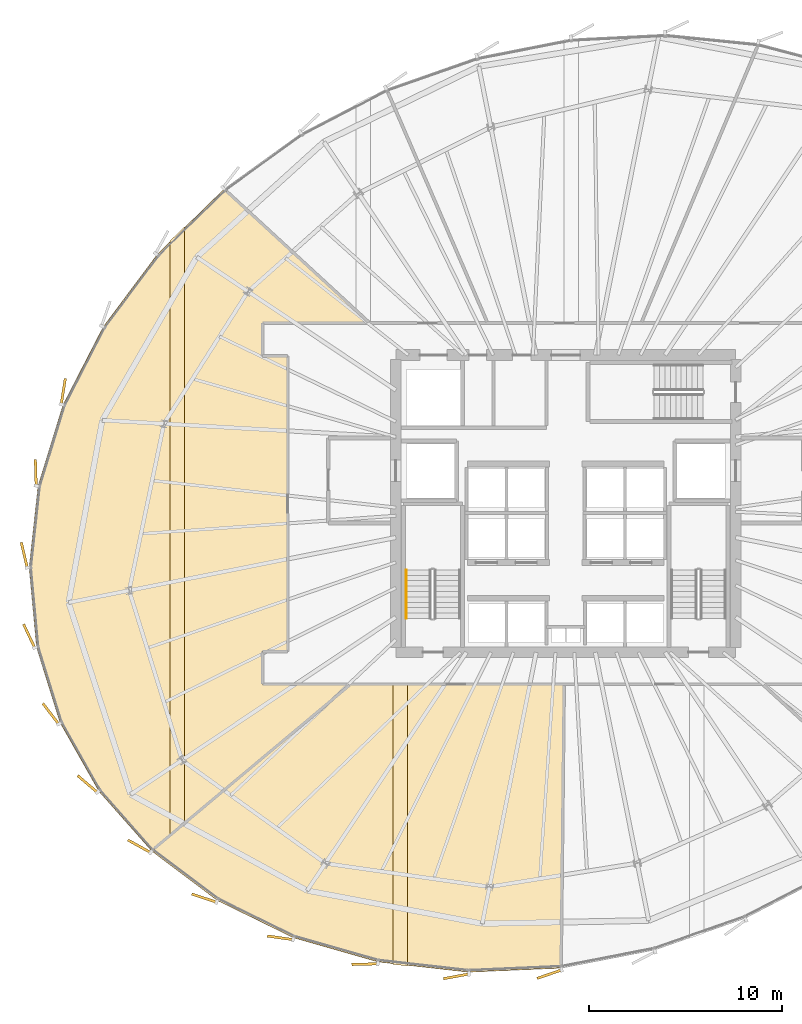
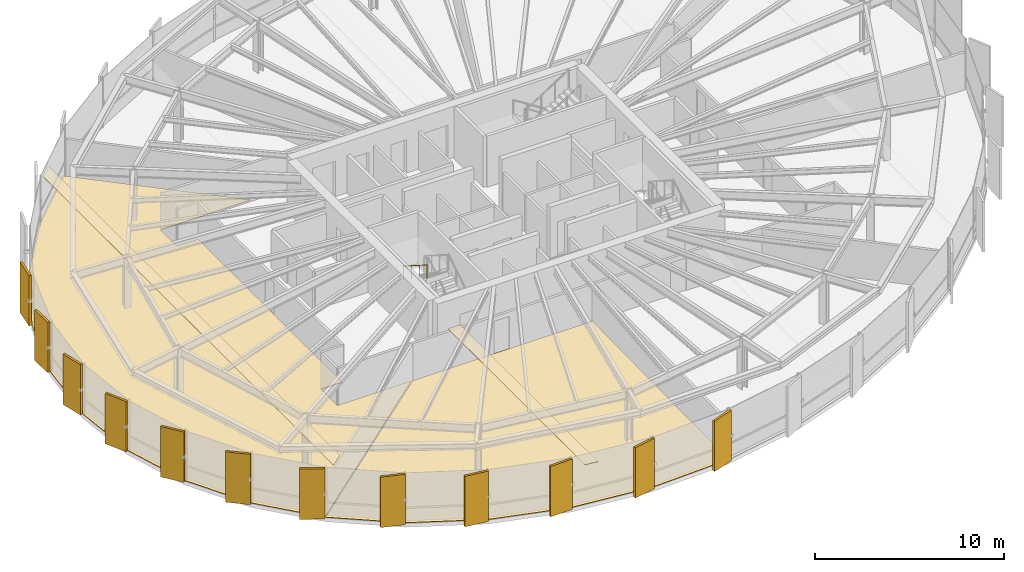
# One storey, part 31 of 34: 16 coverings, 1 railing.
"""IFC4 building model written with IfcOpenShell, lengths in metres."""

from ifc_helpers import new_model, si_unit, direction, frame, origin, origin_2d, place, context, subcontext, project, spatial, polyline, rectangle, circle, outline, extrude, source, transform, mapped, material, layer, layer_set, type_object, element, save


model = new_model("IFC4")

# Units and contexts
model_context = context("Model", 3, precision=1e-05, world=origin(), true_north=direction((0.0, 1.0)))
body_context = subcontext(model_context, "Body", "Model", "MODEL_VIEW")
ifc_project = project(units=[si_unit("LENGTHUNIT", "METRE"), si_unit("AREAUNIT", "SQUARE_METRE"), si_unit("VOLUMEUNIT", "CUBIC_METRE"), si_unit("PLANEANGLEUNIT", "RADIAN"), si_unit("MASSUNIT", "GRAM", prefix="KILO"), si_unit("THERMODYNAMICTEMPERATUREUNIT", "KELVIN")], contexts=[model_context])

# Site, building, storey
site_placement = place(None, origin())
site = spatial("IfcSite", under=ifc_project, at=site_placement, CompositionType="ELEMENT")
building_placement = place(site_placement, origin())
building = spatial("IfcBuilding", under=site, at=building_placement, Name="Kethvar Cultural Tower", CompositionType="ELEMENT")
storey_placement = place(building_placement, frame((0.0, 0.0, 128.800048828125)))
storey = spatial("IfcBuildingStorey", under=building, at=storey_placement, Name="L32", CompositionType="ELEMENT", Elevation=128.800048828125)

# Coverings
ifc_material_1 = material(Name="Acoustic Mineral Fibre Ceiling")
ifc_layer_1 = layer(ifc_material_1, 0.0400390625, Name="Acoustic Mineral Fibre Ceiling")
ifc_layer_set_1 = layer_set([ifc_layer_1], Name="Acoustic Mineral Fibre Ceiling (40 mm)")
covering_type_1 = type_object("IfcCoveringType", Name="CV-ACOUSTIC-CEIL", PredefinedType="CEILING", material=ifc_layer_set_1)
covering_1_placement = place(storey_placement, frame((0.0, 0.0, 2.56005859375)))
element("IfcCovering", 1, at=covering_1_placement, inside=storey, type_object=covering_type_1, Name="L32 Room 01 Acoustic Ceiling Panel", PredefinedType="CEILING", context=body_context, shape_type="SweptSolid", body=[
    extrude(outline(polyline([(37.86376953125, 3.93798828125), (37.86376953125, 18.469970703125), (38.61376953125, 18.469970703125), (38.61376953125, 3.85302734375), (37.86376953125, 3.93798828125)])), origin(), (0.0, 0.0, 1.0), 0.039794921875),
])
covering_2_placement = place(storey_placement, frame((0.0, 0.0, 2.56005859375)))
element("IfcCovering", 2, at=covering_2_placement, inside=storey, type_object=covering_type_1, Name="L32 Room 08 Acoustic Ceiling Panel", PredefinedType="CEILING", context=body_context, shape_type="SweptSolid", body=[
    extrude(outline(polyline([(27.058837890625, 42.151123046875), (27.058837890625, 11.201171875), (26.308837890625, 10.571533203125), (26.308837890625, 41.418701171875), (27.058837890625, 42.151123046875)])), origin(), (0.0, 0.0, 1.0), 0.039794921875),
])
ifc_material_2 = material(Name="Honed Warm Limestone", Category="masonry")
ifc_layer_2 = layer(ifc_material_2, 0.030029296875, Name="Honed Warm Limestone", Category="masonry")
ifc_layer_set_2 = layer_set([ifc_layer_2], Name="Honed Warm Limestone (30 mm)")
covering_type_2 = type_object("IfcCoveringType", Name="CV-STONE-FLOOR", PredefinedType="FLOORING", material=ifc_layer_set_2)
covering_3_placement = place(storey_placement, origin())
element("IfcCovering", 3, at=covering_3_placement, inside=storey, type_object=covering_type_2, Name="L32 Room 01 Floor Finish", PredefinedType="FLOORING", context=body_context, shape_type="SweptSolid", body=[
    extrude(outline(polyline([(41.747314453125, 3.538818359375), (37.077880859375, 4.067138671875), (32.704345703125, 5.316650390625), (28.759033203125, 7.249267578125), (25.380615234375, 9.792236328125), (35.669921875, 18.429931640625), (46.691650390625, 18.429931640625), (46.552978515625, 3.746826171875), (41.747314453125, 3.538818359375)])), origin(), (0.0, 0.0, 1.0), 0.030029296875),
])
covering_4_placement = place(storey_placement, origin())
element("IfcCovering", 4, at=covering_4_placement, inside=storey, type_object=covering_type_2, Name="L32 Room 08 Floor Finish", PredefinedType="FLOORING", context=body_context, shape_type="SweptSolid", body=[
    extrude(outline(polyline([(22.61669921875, 12.9091796875), (20.605712890625, 16.464599609375), (19.390380859375, 20.364501953125), (19.0078125, 24.489990234375), (19.46923828125, 28.716552734375), (20.76123046875, 32.91552734375), (22.84423828125, 36.959228515625), (25.655517578125, 40.724853515625), (29.096923828125, 44.08544921875), (36.601806640625, 37.169921875), (31.080078125, 37.152099609375), (31.08447265625, 35.437255859375), (32.3798828125, 35.429931640625), (32.3798828125, 20.169921875), (31.08447265625, 20.16259765625), (31.080322265625, 18.446044921875), (35.607666015625, 18.429931640625), (25.3505859375, 9.819091796875), (22.61669921875, 12.9091796875)])), origin(), (0.0, 0.0, 1.0), 0.030029296875),
])

# Railing
ifc_material_3 = material(Name="Steel S355J2", Category="steel")
railing_type = type_object("IfcRailingType", Name="RL-STAIR-HANDRAIL", PredefinedType="HANDRAIL", material=ifc_material_3)
railing_placement = place(storey_placement, frame((38.5400390625, 24.3701171875, 1.952392578125)))
element("IfcRailing", 5, at=railing_placement, inside=storey, type_object=railing_type, Name="L32 ST-01 stair handrail 2", PredefinedType="HANDRAIL", context=body_context, shape_type="SweptSolid", body=[
    extrude(circle(Radius=0.02392578125, at=origin_2d()), frame((0.0, 0.0, 0.8759765625), z_axis=(0.0, -0.84456994832, 0.535445237532), x_axis=(1.0, 0.0, 0.0)), (0.0, 0.0, 1.0), 2.98388671875),
    extrude(circle(Radius=0.02099609375, at=origin_2d()), origin(), (0.0, 0.0, 1.0), 0.851806640625),
    extrude(circle(Radius=0.02099609375, at=origin_2d()), frame((0.0, -0.840087890625, 0.532470703125)), (0.0, 0.0, 1.0), 0.851806640625),
    extrude(circle(Radius=0.02099609375, at=origin_2d()), frame((0.0, -1.679931640625, 1.065185546875)), (0.0, 0.0, 1.0), 0.851806640625),
    extrude(circle(Radius=0.02099609375, at=origin_2d()), frame((0.0, -2.52001953125, 1.59765625)), (0.0, 0.0, 1.0), 0.851806640625),
])

# Coverings
ifc_material_4 = material(Name="Extruded Architectural Terracotta", Category="masonry")
ifc_layer_3 = layer(ifc_material_4, 0.135009765625, Name="Extruded Architectural Terracotta", Category="masonry")
ifc_layer_set_3 = layer_set([ifc_layer_3], Name="Extruded Architectural Terracotta (135 mm)")
covering_type_3 = type_object("IfcCoveringType", Name="Terracotta Facade Fin FIN-02", PredefinedType="CLADDING", material=ifc_layer_set_3)
shared_shape = source(origin(), body_context, "Body", "SweptSolid", [
    extrude(rectangle(XDim=1.35009765625, YDim=0.135009765625, at=origin_2d()), origin(), (0.0, 0.0, 1.0), 3.260009765625),
])
for number, where, z_axis, x_axis, name in (
    (6, (20.77294921875, 33.61328125, 0.02001953125), (0.0, 0.0, 1.0), (0.158158067254, 0.987413806751, 0.0), "L32 Vertical Terracotta Fin 3.3"),
    (7, (19.34912109375, 29.404052734375, 0.02001953125), (0.0, 0.0, 1.0), (-0.030887414385, 0.99952286999, 0.0), "L32 Vertical Terracotta Fin 3.4"),
    (8, (18.752685546875, 25.139892578125, 0.02001953125), (0.0, 0.0, 1.0), (-0.230049737188, 0.973178872777, 0.0), "L32 Vertical Terracotta Fin 3.5"),
    (9, (19.005615234375, 20.947021484375, 0.02001953125), (0.0, 0.0, 1.0), (-0.427515649049, 0.904007947873, 0.0), "L32 Vertical Terracotta Fin 3.6"),
    (10, (20.1259765625, 16.9189453125, 0.02001953125), (0.0, 0.0, 1.0), (-0.608622953458, 0.79345957712, 0.0), "L32 Vertical Terracotta Fin 4.1"),
    (11, (22.027099609375, 13.282958984375, 0.02001953125), (0.0, 0.0, 1.0), (-0.7604059656, 0.64944804833, 0.0), "L32 Vertical Terracotta Fin 4.2"),
    (12, (24.709716796875, 10.05419921875, 0.02001953125), (0.0, 0.0, 1.0), (-0.87487343296, 0.484351604003, 0.0), "L32 Vertical Terracotta Fin 4.3"),
    (13, (28.07177734375, 7.3701171875, 0.02001953125), (0.0, 0.0, 1.0), (-0.950515731628, 0.310676429631, 0.0), "L32 Vertical Terracotta Fin 4.4"),
    (14, (32.006591796875, 5.314208984375, 0.02001953125), (0.0, 0.0, 1.0), (-0.99041326747, 0.138136018543, 0.0), "L32 Vertical Terracotta Fin 4.5"),
    (15, (36.390380859375, 3.949951171875, 0.02001953125), (0.0, 0.0, 1.0), (-0.999638806409, -0.026874834341, 0.0), "L32 Vertical Terracotta Fin 4.6"),
    (16, (41.12548828125, 3.317626953125, 0.02001953125), (0.0, 0.0, 1.0), (-0.983318459858, -0.181892293686, 0.0), "L32 Vertical Terracotta Fin 5.1"),
    (17, (45.949951171875, 3.42919921875, 0.02001953125), (0.0, 0.0, 1.0), (-0.945461738836, -0.32573317362, 0.0), "L32 Vertical Terracotta Fin 5.2"),
):
    element("IfcCovering", number, at=place(storey_placement, frame(where, z_axis=z_axis, x_axis=x_axis)), inside=storey, type_object=covering_type_3, Name=name, PredefinedType="CLADDING", context=body_context, shape_type="MappedRepresentation", body=[
        mapped(shared_shape, transform((0.0, 0.0, 0.0), scale=1.0)),
    ])

save(model, "model.ifc")
